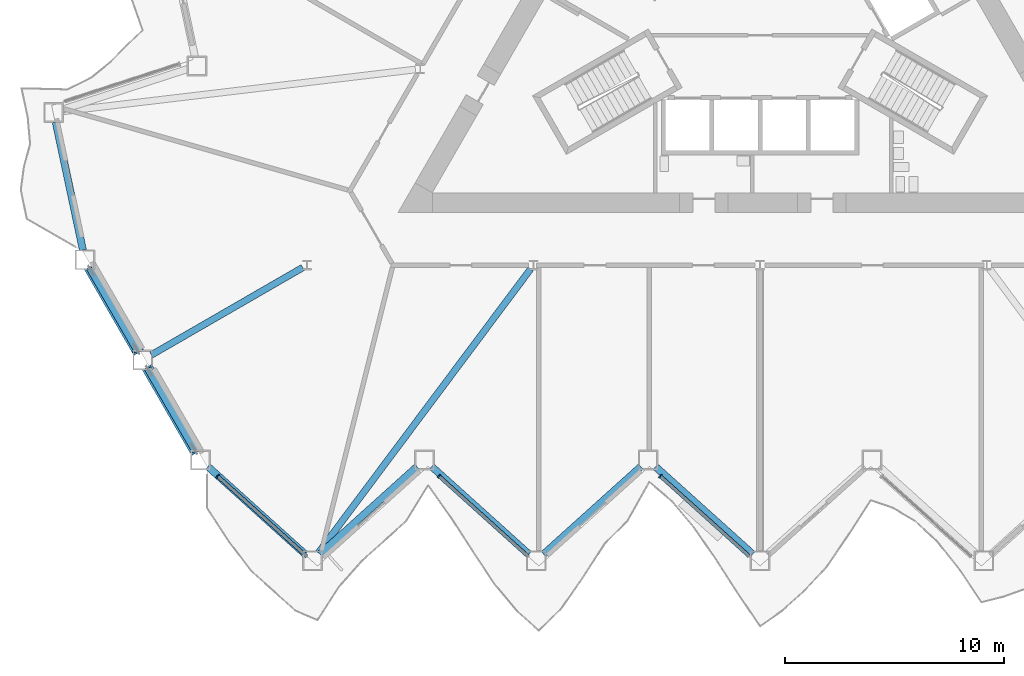
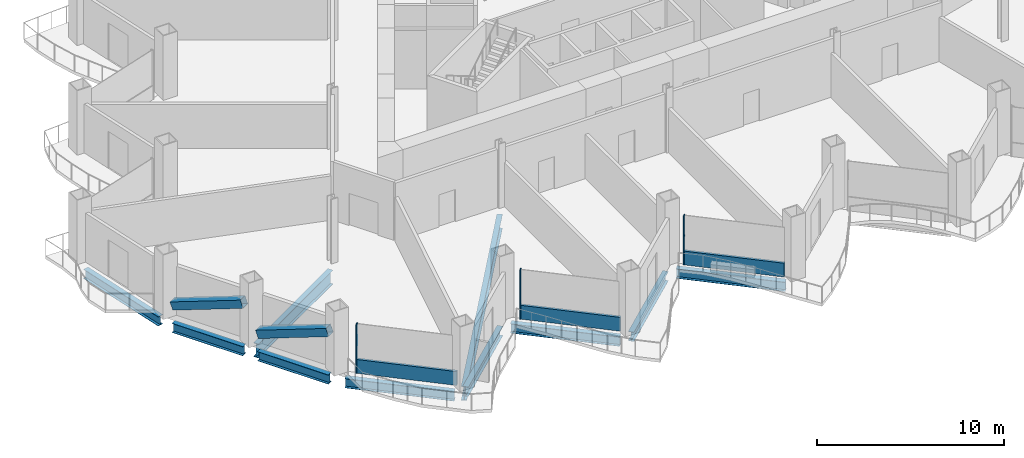
# One storey, part 3 of 21: 10 beams, 8 members, 3 elements without a shape of their own.
"""IFC4 building model written with IfcOpenShell, lengths in metres."""

from ifc_helpers import new_model, si_unit, direction, frame, origin, origin_2d, place, context, subcontext, project, spatial, rectangle, hollow_rectangle, i_section, extrude, material, layer, layer_set, material_profile, profile_set, type_object, element, aggregate, save


model = new_model("IFC4")

# Units and contexts
model_context = context("Model", 3, precision=1e-05, world=origin(), true_north=direction((0.0, 1.0)))
body_context = subcontext(model_context, "Body", "Model", "MODEL_VIEW")
ifc_project = project(units=[si_unit("LENGTHUNIT", "METRE"), si_unit("AREAUNIT", "SQUARE_METRE"), si_unit("VOLUMEUNIT", "CUBIC_METRE"), si_unit("PLANEANGLEUNIT", "RADIAN"), si_unit("MASSUNIT", "GRAM", prefix="KILO")], contexts=[model_context])

# Site, building, storey
site_placement = place(None, origin())
site = spatial("IfcSite", under=ifc_project, at=site_placement, CompositionType="ELEMENT")
building_placement = place(site_placement, origin())
building = spatial("IfcBuilding", under=site, at=building_placement, Name="Cormorant Prow Tower", CompositionType="ELEMENT")
storey_placement = place(building_placement, frame((0.0, 0.0, 124.800048828125)))
storey = spatial("IfcBuildingStorey", under=building, at=storey_placement, Name="L26", CompositionType="ELEMENT", Elevation=124.800048828125)

# Members
ifc_material_1 = material(Name="Structural steel ASTM A500 Gr C", Category="steel")
ifc_material_profile_1 = material_profile(ifc_material_1, hollow_rectangle(XDim=0.508056640625, YDim=0.508056640625, WallThickness=0.014892578125, at=origin_2d()), Name="HSS20x20x5/8")
ifc_profile_set_1 = profile_set([ifc_material_profile_1], Name="Structural steel ASTM A500 Gr C")
member_type_1 = type_object("IfcMemberType", Name="Chamfer brace HSS20x20x5/8", PredefinedType="BRACE", material=ifc_profile_set_1)
for number, where, z_axis, x_axis, name in (
    (1, (-30.535400390625, -12.0849609375, 0.776611328125), (0.467784671838, -0.810243526908, 0.35310469821), (0.866029868417, 0.499992266949, 0.0), "Chamfer brace BR1 at WSW00 L26"),
    (2, (-27.900634765625, -16.648681640625, 0.776611328125), (0.467784671838, -0.810243526908, 0.35310469821), (0.866029868417, 0.499992266949, 0.0), "Chamfer brace BR1 at WSW01 L26"),
):
    element("IfcMember", number, at=place(storey_placement, frame(where, z_axis=z_axis, x_axis=x_axis)), inside=storey, type_object=member_type_1, Name=name, PredefinedType="BRACE", context=body_context, shape_type="SweptSolid", body=[
        extrude(hollow_rectangle(XDim=0.508056640625, YDim=0.508056640625, WallThickness=0.014892578125, at=origin_2d()), origin(), (0.0, 0.0, 1.0), 4.632568359375),
    ])

# Curtain wall, member
ifc_material_2 = material(Name="Aluminium 6063-T6", Category="aluminium")
ifc_layer = layer(ifc_material_2, 0.199951171875)
ifc_layer_set = layer_set([ifc_layer], Name="Aluminium 6063-T6")
curtain_wall_type = type_object("IfcCurtainWallType", Name="Office unitised curtain wall 200", PredefinedType="NOTDEFINED", material=ifc_layer_set)
curtain_wall_1_placement = place(storey_placement, origin())
curtain_wall_1 = element("IfcCurtainWall", 3, at=curtain_wall_1_placement, inside=storey, type_object=curtain_wall_type, Name="Office curtain wall S00", PredefinedType="NOTDEFINED")
ifc_material_3 = material(Name="Aluminium 6063-T6", Category="aluminium")
ifc_material_profile_2 = material_profile(ifc_material_3, rectangle(XDim=0.199951171875, YDim=0.06005859375, at=origin_2d()), Name="Office mullion 60x200")
ifc_profile_set_2 = profile_set([ifc_material_profile_2], Name="Aluminium 6063-T6")
member_type_2 = type_object("IfcMemberType", Name="Office mullion 60x200", PredefinedType="MULLION", material=ifc_profile_set_2)
member_1_placement = place(storey_placement, frame((-24.721923828125, -21.54150390625, 0.0), z_axis=(0.0, 0.0, 1.0), x_axis=(0.669130553193, 0.743144873348, 0.0)))
member_1 = element("IfcMember", 4, at=member_1_placement, type_object=member_type_2, Name="Office mullion S00", PredefinedType="MULLION", context=body_context, shape_type="SweptSolid", body=[
    extrude(rectangle(XDim=0.199951171875, YDim=0.06005859375, at=origin_2d()), origin(), (0.0, 0.0, 1.0), 3.18896484375),
])

curtain_wall_2_placement = place(storey_placement, origin())
curtain_wall_2 = element("IfcCurtainWall", 5, at=curtain_wall_2_placement, inside=storey, type_object=curtain_wall_type, Name="Office curtain wall S02", PredefinedType="NOTDEFINED")
member_2_placement = place(storey_placement, frame((-14.63525390625, -21.54150390625, 0.0), z_axis=(0.0, 0.0, 1.0), x_axis=(0.669130626463, 0.743144807376, 0.0)))
member_2 = element("IfcMember", 6, at=member_2_placement, type_object=member_type_2, Name="Office mullion S02", PredefinedType="MULLION", context=body_context, shape_type="SweptSolid", body=[
    extrude(rectangle(XDim=0.199951171875, YDim=0.06005859375, at=origin_2d()), origin(), (0.0, 0.0, 1.0), 3.18896484375),
])

curtain_wall_3_placement = place(storey_placement, origin())
curtain_wall_3 = element("IfcCurtainWall", 7, at=curtain_wall_3_placement, inside=storey, type_object=curtain_wall_type, Name="Office curtain wall S04", PredefinedType="NOTDEFINED")
member_3_placement = place(storey_placement, frame((-4.54833984375, -21.54150390625, 0.0), z_axis=(0.0, 0.0, 1.0), x_axis=(0.669130626463, 0.743144807376, 0.0)))
member_3 = element("IfcMember", 8, at=member_3_placement, type_object=member_type_2, Name="Office mullion S04", PredefinedType="MULLION", context=body_context, shape_type="SweptSolid", body=[
    extrude(rectangle(XDim=0.199951171875, YDim=0.06005859375, at=origin_2d()), origin(), (0.0, 0.0, 1.0), 3.18896484375),
])

# Member
ifc_material_4 = material(Name="Terracotta", Category="masonry")
ifc_material_profile_3 = material_profile(ifc_material_4, rectangle(XDim=0.159912109375, YDim=0.89990234375, at=origin_2d()), Name="Office terracotta spandrel rail 160x900")
ifc_profile_set_3 = profile_set([ifc_material_profile_3], Name="Terracotta")
member_type_3 = type_object("IfcMemberType", Name="Office terracotta spandrel rail 160x900", PredefinedType="USERDEFINED", material=ifc_profile_set_3)
member_4_placement = place(storey_placement, frame((-24.69970703125, -21.561767578125, 0.449951171875), z_axis=(0.743153914206, -0.669120512165, 0.0), x_axis=(0.669120512165, 0.743153914206, 0.0)))
member_4 = element("IfcMember", 9, at=member_4_placement, type_object=member_type_3, Name="Office spandrel rail S00", ObjectType="TRANSOM", PredefinedType="USERDEFINED", context=body_context, shape_type="SweptSolid", body=[
    extrude(rectangle(XDim=0.159912109375, YDim=0.89990234375, at=origin_2d()), origin(), (0.0, 0.0, 1.0), 5.454345703125),
])

aggregate(curtain_wall_1, [member_1, member_4])

member_5_placement = place(storey_placement, frame((-14.613037109375, -21.561767578125, 0.449951171875), z_axis=(0.743173953353, -0.66909825516, 0.0), x_axis=(0.66909825516, 0.743173953353, 0.0)))
member_5 = element("IfcMember", 10, at=member_5_placement, type_object=member_type_3, Name="Office spandrel rail S02", ObjectType="TRANSOM", PredefinedType="USERDEFINED", context=body_context, shape_type="SweptSolid", body=[
    extrude(rectangle(XDim=0.159912109375, YDim=0.89990234375, at=origin_2d()), origin(), (0.0, 0.0, 1.0), 5.45458984375),
])

aggregate(curtain_wall_2, [member_2, member_5])

member_6_placement = place(storey_placement, frame((-4.526123046875, -21.561767578125, 0.449951171875), z_axis=(0.743153914206, -0.669120512165, 0.0), x_axis=(0.669120512165, 0.743153914206, 0.0)))
member_6 = element("IfcMember", 11, at=member_6_placement, type_object=member_type_3, Name="Office spandrel rail S04", ObjectType="TRANSOM", PredefinedType="USERDEFINED", context=body_context, shape_type="SweptSolid", body=[
    extrude(rectangle(XDim=0.159912109375, YDim=0.89990234375, at=origin_2d()), origin(), (0.0, 0.0, 1.0), 5.454345703125),
])

aggregate(curtain_wall_3, [member_3, member_6])

# Beams
ifc_material_5 = material(Name="Structural steel ASTM A992 Gr 50", Category="steel")
ifc_material_profile_4 = material_profile(ifc_material_5, i_section(OverallWidth=0.3046875, OverallDepth=0.914794921875, WebThickness=0.0166015625, FlangeThickness=0.02587890625, at=origin_2d()), Name="W36x160")
ifc_profile_set_4 = profile_set([ifc_material_profile_4], Name="Structural steel ASTM A992 Gr 50")
beam_type_1 = type_object("IfcBeamType", Name="Radial floor beam W36x160", PredefinedType="BEAM", material=ifc_profile_set_4)
beam_1_placement = place(storey_placement, frame((-20.84521484375, -12.034912109375, -0.857421875), z_axis=(-0.866018715534, -0.50001158421, 0.0), x_axis=(0.50001158421, -0.866018715534, 0.0)))
element("IfcBeam", 12, at=beam_1_placement, inside=storey, type_object=beam_type_1, Name="Radial floor beam FB1 5 L26", PredefinedType="BEAM", context=body_context, shape_type="SweptSolid", body=[
    extrude(i_section(OverallWidth=0.3046875, OverallDepth=0.914794921875, WebThickness=0.0166015625, FlangeThickness=0.02587890625, at=origin_2d()), origin(), (0.0, 0.0, 1.0), 7.967041015625),
])
beam_2_placement = place(storey_placement, frame((-10.458740234375, -12.100341796875, -0.857421875), z_axis=(-0.598722444929, -0.800956574315, 0.0), x_axis=(0.800956574315, -0.598722444929, 0.0)))
element("IfcBeam", 13, at=beam_2_placement, inside=storey, type_object=beam_type_1, Name="Radial floor beam FB1 6 L26", PredefinedType="BEAM", context=body_context, shape_type="SweptSolid", body=[
    extrude(i_section(OverallWidth=0.3046875, OverallDepth=0.914794921875, WebThickness=0.0166015625, FlangeThickness=0.02587890625, at=origin_2d()), origin(), (0.0, 0.0, 1.0), 16.15380859375),
])
ifc_material_6 = material(Name="Structural steel ASTM A992 Gr 50", Category="steel")
ifc_material_profile_5 = material_profile(ifc_material_6, i_section(OverallWidth=0.32373046875, OverallDepth=0.611083984375, WebThickness=0.0126953125, FlangeThickness=0.01904296875, at=origin_2d()), Name="W24x104")
ifc_profile_set_5 = profile_set([ifc_material_profile_5], Name="Structural steel ASTM A992 Gr 50")
beam_type_2 = type_object("IfcBeamType", Name="Spandrel beam W24x104", PredefinedType="SPANDREL", material=ifc_profile_set_5)
for number, where, z_axis, x_axis, name in (
    (14, (-25.165283203125, -21.108154296875, -0.70556640625), (0.743131253571, -0.66914567918, 0.0), (0.66914567918, 0.743131253571, 0.0), "Spandrel beam SB1 S00-S01 L26"),
    (15, (-20.0654296875, -25.09814453125, -0.70556640625), (0.743131253571, 0.66914567918, 0.0), (-0.66914567918, 0.743131253571, 0.0), "Spandrel beam SB1 S01-S02 L26"),
    (16, (-14.96533203125, -21.108154296875, -0.70556640625), (0.743131253571, -0.66914567918, 0.0), (0.66914567918, 0.743131253571, 0.0), "Spandrel beam SB1 S02-S03 L26"),
    (17, (-9.865478515625, -25.09814453125, -0.70556640625), (0.743131253571, 0.66914567918, 0.0), (-0.66914567918, 0.743131253571, 0.0), "Spandrel beam SB1 S03-S04 L26"),
    (18, (-4.765625, -21.108154296875, -0.70556640625), (0.743131253571, -0.66914567918, 0.0), (0.66914567918, 0.743131253571, 0.0), "Spandrel beam SB1 S04-S05 L26"),
    (19, (-32.1025390625, -5.4072265625, -0.70556640625), (0.207912620873, -0.978147403044, 0.0), (0.978147403044, 0.207912620873, 0.0), "Spandrel beam SB1 WNW09-WSW00 L26"),
):
    element("IfcBeam", number, at=place(storey_placement, frame(where, z_axis=z_axis, x_axis=x_axis)), inside=storey, type_object=beam_type_2, Name=name, PredefinedType="SPANDREL", context=body_context, shape_type="SweptSolid", body=[
        extrude(i_section(OverallWidth=0.32373046875, OverallDepth=0.611083984375, WebThickness=0.0126953125, FlangeThickness=0.01904296875, at=origin_2d()), origin(), (0.0, 0.0, 1.0), 5.962890625),
    ])
for number, where, z_axis, x_axis, name in (
    (20, (-30.54443359375, -12.069580078125, -0.70556640625), (0.500002967982, -0.866023690213, 0.0), (0.866023690213, 0.500002967982, 0.0), "Spandrel beam SB1 WSW00-WSW01 L26"),
    (21, (-27.909423828125, -16.63330078125, -0.70556640625), (0.500002967982, -0.866023690213, 0.0), (0.866023690213, 0.500002967982, 0.0), "Spandrel beam SB1 WSW01-S00 L26"),
):
    element("IfcBeam", number, at=place(storey_placement, frame(where, z_axis=z_axis, x_axis=x_axis)), inside=storey, type_object=beam_type_2, Name=name, PredefinedType="SPANDREL", context=body_context, shape_type="SweptSolid", body=[
        extrude(i_section(OverallWidth=0.32373046875, OverallDepth=0.611083984375, WebThickness=0.0126953125, FlangeThickness=0.01904296875, at=origin_2d()), origin(), (0.0, 0.0, 1.0), 4.36962890625),
    ])

save(model, "model.ifc")
